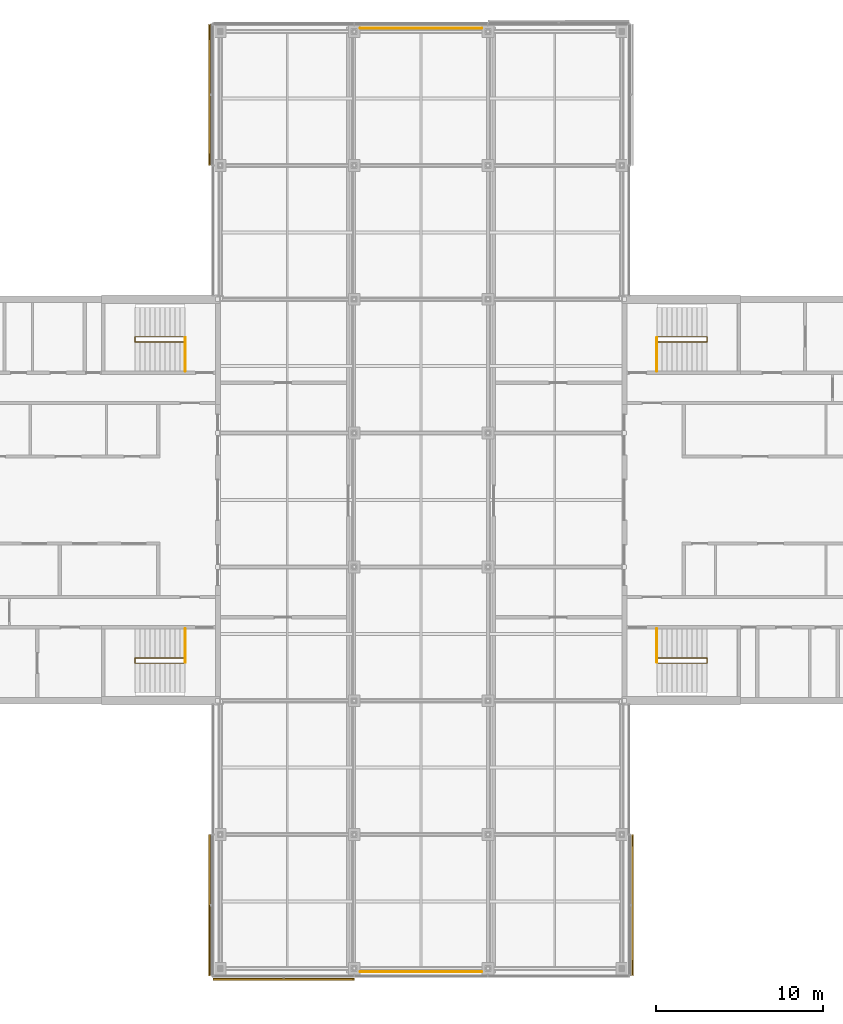
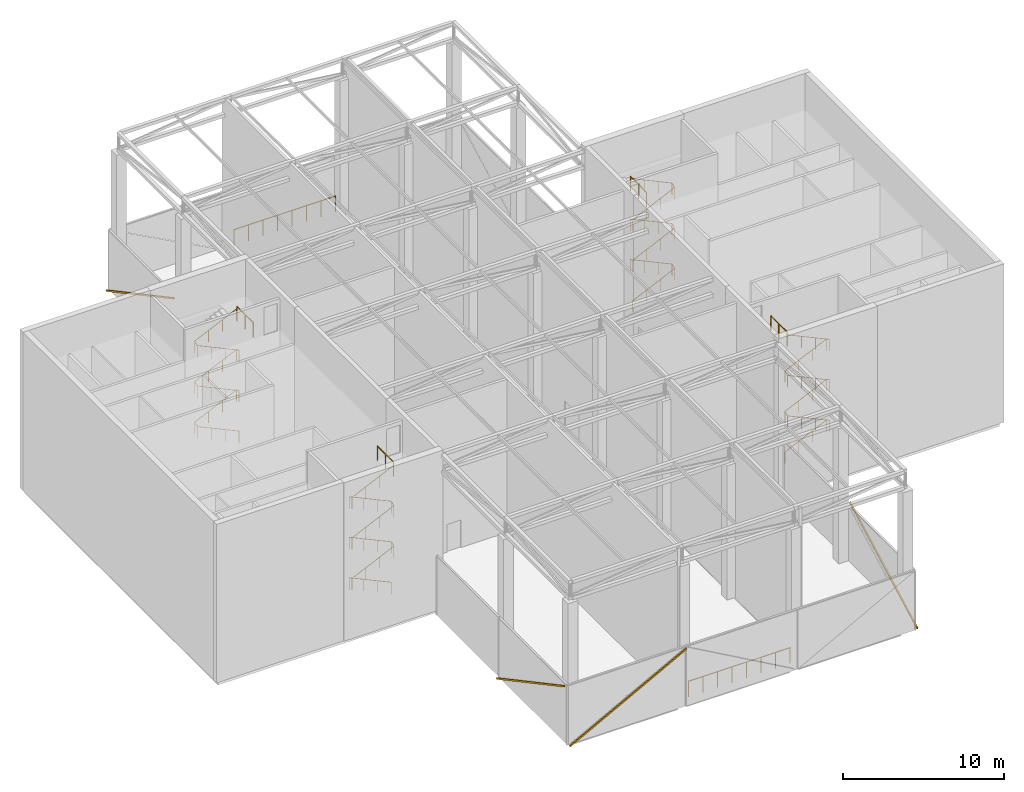
# One storey, part 22 of 23: 10 railings, 4 shading devices, 4 elements without a shape of their own.
"""IFC4 building model written with IfcOpenShell, lengths in metres."""

from ifc_helpers import new_model, si_unit, direction, frame, origin, origin_2d, place, context, subcontext, project, spatial, rectangle, circle, extrude, material, material_profile, profile_set, type_object, element, aggregate, save


model = new_model("IFC4")

# Units and contexts
model_context = context("Model", 3, precision=1e-05, world=origin(), true_north=direction((0.0, 1.0)))
body_context = subcontext(model_context, "Body", "Model", "MODEL_VIEW")
ifc_project = project(units=[si_unit("LENGTHUNIT", "METRE"), si_unit("AREAUNIT", "SQUARE_METRE"), si_unit("VOLUMEUNIT", "CUBIC_METRE"), si_unit("PLANEANGLEUNIT", "RADIAN"), si_unit("MASSUNIT", "GRAM", prefix="KILO")], contexts=[model_context])

# Site, building, storey
site_placement = place(None, origin())
site = spatial("IfcSite", under=ifc_project, at=site_placement, CompositionType="ELEMENT")
building_placement = place(site_placement, origin())
building = spatial("IfcBuilding", under=site, at=building_placement, Name="Crosswind Convention Tower", CompositionType="ELEMENT")
storey_placement = place(building_placement, frame((0.0, 0.0, 349.10009765625)))
storey = spatial("IfcBuildingStorey", under=building, at=storey_placement, Name="L76", CompositionType="ELEMENT", Elevation=349.10009765625)

# Railings
ifc_material_1 = material(Name="Stainless steel guard", Category="steel")
railing_type_1 = type_object("IfcRailingType", Name="CROWN DECK GUARD 1200", PredefinedType="GUARDRAIL", material=ifc_material_1)
railing_1_placement = place(storey_placement, frame((121.365966796875, 128.199951171875, 0.0498046875)))
element("IfcRailing", 1, at=railing_1_placement, inside=storey, type_object=railing_type_1, Name="R13 crown deck guard 1", PredefinedType="GUARDRAIL", context=body_context, shape_type="SweptSolid", body=[
    extrude(circle(Radius=0.01904296875, at=origin_2d()), frame((0.0, 0.0, 1.180908203125), z_axis=(1.0, 0.0, 0.0), x_axis=(0.0, 1.0, 0.0)), (0.0, 0.0, 1.0), 7.26806640625),
    extrude(circle(Radius=0.01611328125, at=origin_2d()), origin(), (0.0, 0.0, 1.0), 1.161865234375),
    extrude(circle(Radius=0.01611328125, at=origin_2d()), frame((1.038330078125, 0.0, 0.0)), (0.0, 0.0, 1.0), 1.161865234375),
    extrude(circle(Radius=0.01611328125, at=origin_2d()), frame((2.07666015625, 0.0, 0.0)), (0.0, 0.0, 1.0), 1.161865234375),
    extrude(circle(Radius=0.01611328125, at=origin_2d()), frame((3.114990234375, 0.0, 0.0)), (0.0, 0.0, 1.0), 1.161865234375),
    extrude(circle(Radius=0.01611328125, at=origin_2d()), frame((4.153076171875, 0.0, 0.0)), (0.0, 0.0, 1.0), 1.161865234375),
    extrude(circle(Radius=0.01611328125, at=origin_2d()), frame((5.19140625, 0.0, 0.0)), (0.0, 0.0, 1.0), 1.161865234375),
    extrude(circle(Radius=0.01611328125, at=origin_2d()), frame((6.229736328125, 0.0, 0.0)), (0.0, 0.0, 1.0), 1.161865234375),
    extrude(circle(Radius=0.01611328125, at=origin_2d()), frame((7.26806640625, 0.0, 0.0)), (0.0, 0.0, 1.0), 1.161865234375),
])
railing_2_placement = place(storey_placement, frame((128.634033203125, 71.800048828125, 0.0498046875)))
element("IfcRailing", 2, at=railing_2_placement, inside=storey, type_object=railing_type_1, Name="R13 crown deck guard 2", PredefinedType="GUARDRAIL", context=body_context, shape_type="SweptSolid", body=[
    extrude(circle(Radius=0.01904296875, at=origin_2d()), frame((0.0, 0.0, 1.180908203125), z_axis=(-1.0, 0.0, 0.0), x_axis=(0.0, -1.0, 0.0)), (0.0, 0.0, 1.0), 7.26806640625),
    extrude(circle(Radius=0.01611328125, at=origin_2d()), origin(), (0.0, 0.0, 1.0), 1.161865234375),
    extrude(circle(Radius=0.01611328125, at=origin_2d()), frame((-1.038330078125, 0.0, 0.0)), (0.0, 0.0, 1.0), 1.161865234375),
    extrude(circle(Radius=0.01611328125, at=origin_2d()), frame((-2.07666015625, 0.0, 0.0)), (0.0, 0.0, 1.0), 1.161865234375),
    extrude(circle(Radius=0.01611328125, at=origin_2d()), frame((-3.114990234375, 0.0, 0.0)), (0.0, 0.0, 1.0), 1.161865234375),
    extrude(circle(Radius=0.01611328125, at=origin_2d()), frame((-4.153076171875, 0.0, 0.0)), (0.0, 0.0, 1.0), 1.161865234375),
    extrude(circle(Radius=0.01611328125, at=origin_2d()), frame((-5.19140625, 0.0, 0.0)), (0.0, 0.0, 1.0), 1.161865234375),
    extrude(circle(Radius=0.01611328125, at=origin_2d()), frame((-6.229736328125, 0.0, 0.0)), (0.0, 0.0, 1.0), 1.161865234375),
    extrude(circle(Radius=0.01611328125, at=origin_2d()), frame((-7.26806640625, 0.0, 0.0)), (0.0, 0.0, 1.0), 1.161865234375),
])
ifc_material_2 = material(Name="Stainless steel and laminated glass", Category="steel")
railing_type_2 = type_object("IfcRailingType", Name="Stair guard 1100", PredefinedType="GUARDRAIL", material=ifc_material_2)
railing_3_placement = place(storey_placement, frame((139.090087890625, 107.699951171875, 9.199951171875)))
element("IfcRailing", 3, at=railing_3_placement, inside=storey, type_object=railing_type_2, Name="Stair ST1 well guard L76", PredefinedType="GUARDRAIL", context=body_context, shape_type="SweptSolid", body=[
    extrude(circle(Radius=0.02392578125, at=origin_2d()), frame((0.0, 0.0, 1.076171875), z_axis=(0.0, 1.0, 0.0), x_axis=(-1.0, 0.0, 0.0)), (0.0, 0.0, 1.0), 2.0),
    extrude(circle(Radius=0.02099609375, at=origin_2d()), origin(), (0.0, 0.0, 1.0), 1.052001953125),
    extrude(circle(Radius=0.02099609375, at=origin_2d()), frame((0.0, 1.0, 0.0)), (0.0, 0.0, 1.0), 1.052001953125),
    extrude(circle(Radius=0.02099609375, at=origin_2d()), frame((0.0, 2.0, 0.0)), (0.0, 0.0, 1.0), 1.052001953125),
])
for number, where, name in (
    (4, (139.090087890625, 92.300048828125, 9.199951171875), "Stair ST2 well guard L76"),
    (5, (110.909912109375, 92.300048828125, 9.199951171875), "Stair ST3 well guard L76"),
):
    element("IfcRailing", number, at=place(storey_placement, frame(where)), inside=storey, type_object=railing_type_2, Name=name, PredefinedType="GUARDRAIL", context=body_context, shape_type="SweptSolid", body=[
        extrude(circle(Radius=0.02392578125, at=origin_2d()), frame((0.0, 0.0, 1.076171875), z_axis=(0.0, -1.0, 0.0), x_axis=(1.0, 0.0, 0.0)), (0.0, 0.0, 1.0), 2.0),
        extrude(circle(Radius=0.02099609375, at=origin_2d()), origin(), (0.0, 0.0, 1.0), 1.052001953125),
        extrude(circle(Radius=0.02099609375, at=origin_2d()), frame((0.0, -1.0, 0.0)), (0.0, 0.0, 1.0), 1.052001953125),
        extrude(circle(Radius=0.02099609375, at=origin_2d()), frame((0.0, -2.0, 0.0)), (0.0, 0.0, 1.0), 1.052001953125),
    ])
railing_4_placement = place(storey_placement, frame((110.909912109375, 107.699951171875, 9.199951171875)))
element("IfcRailing", 6, at=railing_4_placement, inside=storey, type_object=railing_type_2, Name="Stair ST4 well guard L76", PredefinedType="GUARDRAIL", context=body_context, shape_type="SweptSolid", body=[
    extrude(circle(Radius=0.02392578125, at=origin_2d()), frame((0.0, 0.0, 1.076171875), z_axis=(0.0, 1.0, 0.0), x_axis=(-1.0, 0.0, 0.0)), (0.0, 0.0, 1.0), 2.0),
    extrude(circle(Radius=0.02099609375, at=origin_2d()), origin(), (0.0, 0.0, 1.0), 1.052001953125),
    extrude(circle(Radius=0.02099609375, at=origin_2d()), frame((0.0, 1.0, 0.0)), (0.0, 0.0, 1.0), 1.052001953125),
    extrude(circle(Radius=0.02099609375, at=origin_2d()), frame((0.0, 2.0, 0.0)), (0.0, 0.0, 1.0), 1.052001953125),
])
ifc_material_3 = material(Name="Stainless steel", Category="steel")
railing_type_3 = type_object("IfcRailingType", Name="Stair handrail 900", PredefinedType="HANDRAIL", material=ifc_material_3)
railing_5_placement = place(storey_placement, frame((139.10009765625, 109.43994140625, 0.139404296875)))
element("IfcRailing", 7, at=railing_5_placement, inside=storey, type_object=railing_type_3, Name="Stair ST1 handrail L76", PredefinedType="HANDRAIL", context=body_context, shape_type="SweptSolid", body=[
    extrude(circle(Radius=0.02392578125, at=origin_2d()), frame((0.0, 0.0, 0.8759765625), z_axis=(0.906900206734, 0.0, 0.421345481791), x_axis=(0.0, 1.0, 0.0)), (0.0, 0.0, 1.0), 3.307861328125),
    extrude(circle(Radius=0.02392578125, at=origin_2d()), frame((3.0, 0.0, 2.26953125), z_axis=(0.0, 0.91681415289, 0.399314173379), x_axis=(-1.0, 0.0, 0.0)), (0.0, 0.0, 1.0), 0.34912109375),
    extrude(circle(Radius=0.02392578125, at=origin_2d()), frame((3.0, 0.320068359375, 2.4091796875), z_axis=(-0.906872003825, 0.0, 0.421406180163), x_axis=(0.0, -1.0, 0.0)), (0.0, 0.0, 1.0), 3.30810546875),
    extrude(circle(Radius=0.02392578125, at=origin_2d()), frame((0.0, 0.320068359375, 3.80322265625), z_axis=(0.0, -0.91681415289, 0.399314173379), x_axis=(1.0, 0.0, 0.0)), (0.0, 0.0, 1.0), 0.34912109375),
    extrude(circle(Radius=0.02392578125, at=origin_2d()), frame((0.0, 0.0, 3.9423828125), z_axis=(0.906900206734, 0.0, 0.421345481791), x_axis=(0.0, 1.0, 0.0)), (0.0, 0.0, 1.0), 3.307861328125),
    extrude(circle(Radius=0.02392578125, at=origin_2d()), frame((3.0, 0.0, 5.33642578125), z_axis=(0.0, 0.91681415289, 0.399314173379), x_axis=(-1.0, 0.0, 0.0)), (0.0, 0.0, 1.0), 0.34912109375),
    extrude(circle(Radius=0.02392578125, at=origin_2d()), frame((3.0, 0.320068359375, 5.4755859375), z_axis=(-0.906872003825, 0.0, 0.421406180163), x_axis=(0.0, -1.0, 0.0)), (0.0, 0.0, 1.0), 3.30810546875),
    extrude(circle(Radius=0.02392578125, at=origin_2d()), frame((0.0, 0.320068359375, 6.86962890625), z_axis=(0.0, -0.91681415289, 0.399314173379), x_axis=(1.0, 0.0, 0.0)), (0.0, 0.0, 1.0), 0.34912109375),
    extrude(circle(Radius=0.02392578125, at=origin_2d()), frame((0.0, 0.0, 7.00927734375), z_axis=(0.906900206734, 0.0, 0.421345481791), x_axis=(0.0, 1.0, 0.0)), (0.0, 0.0, 1.0), 3.307861328125),
    extrude(circle(Radius=0.02392578125, at=origin_2d()), frame((3.0, 0.0, 8.40283203125), z_axis=(0.0, 0.91681415289, 0.399314173379), x_axis=(-1.0, 0.0, 0.0)), (0.0, 0.0, 1.0), 0.34912109375),
    extrude(circle(Radius=0.02392578125, at=origin_2d()), frame((3.0, 0.320068359375, 8.54248046875), z_axis=(-0.906872003825, 0.0, 0.421406180163), x_axis=(0.0, -1.0, 0.0)), (0.0, 0.0, 1.0), 3.30810546875),
    extrude(circle(Radius=0.02099609375, at=origin_2d()), origin(), (0.0, 0.0, 1.0), 0.851806640625),
    extrude(circle(Radius=0.02099609375, at=origin_2d()), frame((1.0, 0.0, 0.464599609375)), (0.0, 0.0, 1.0), 0.851806640625),
    extrude(circle(Radius=0.02099609375, at=origin_2d()), frame((2.0, 0.0, 0.92919921875)), (0.0, 0.0, 1.0), 0.851806640625),
    extrude(circle(Radius=0.02099609375, at=origin_2d()), frame((3.0, 0.0, 1.393798828125)), (0.0, 0.0, 1.0), 0.851806640625),
    extrude(circle(Radius=0.02099609375, at=origin_2d()), frame((3.0, 0.320068359375, 1.533203125)), (0.0, 0.0, 1.0), 0.851806640625),
    extrude(circle(Radius=0.02099609375, at=origin_2d()), frame((2.0, 0.320068359375, 1.997802734375)), (0.0, 0.0, 1.0), 0.851806640625),
    extrude(circle(Radius=0.02099609375, at=origin_2d()), frame((1.0, 0.320068359375, 2.462646484375)), (0.0, 0.0, 1.0), 0.851806640625),
    extrude(circle(Radius=0.02099609375, at=origin_2d()), frame((0.0, 0.320068359375, 2.92724609375)), (0.0, 0.0, 1.0), 0.851806640625),
    extrude(circle(Radius=0.02099609375, at=origin_2d()), frame((0.0, 0.0, 3.066650390625)), (0.0, 0.0, 1.0), 0.851806640625),
    extrude(circle(Radius=0.02099609375, at=origin_2d()), frame((1.0, 0.0, 3.53125)), (0.0, 0.0, 1.0), 0.851806640625),
    extrude(circle(Radius=0.02099609375, at=origin_2d()), frame((2.0, 0.0, 3.995849609375)), (0.0, 0.0, 1.0), 0.851806640625),
    extrude(circle(Radius=0.02099609375, at=origin_2d()), frame((3.0, 0.0, 4.46044921875)), (0.0, 0.0, 1.0), 0.851806640625),
    extrude(circle(Radius=0.02099609375, at=origin_2d()), frame((3.0, 0.320068359375, 4.599853515625)), (0.0, 0.0, 1.0), 0.851806640625),
    extrude(circle(Radius=0.02099609375, at=origin_2d()), frame((2.0, 0.320068359375, 5.064453125)), (0.0, 0.0, 1.0), 0.851806640625),
    extrude(circle(Radius=0.02099609375, at=origin_2d()), frame((1.0, 0.320068359375, 5.529296875)), (0.0, 0.0, 1.0), 0.851806640625),
    extrude(circle(Radius=0.02099609375, at=origin_2d()), frame((0.0, 0.320068359375, 5.993896484375)), (0.0, 0.0, 1.0), 0.851806640625),
    extrude(circle(Radius=0.02099609375, at=origin_2d()), frame((0.0, 0.0, 6.13330078125)), (0.0, 0.0, 1.0), 0.851806640625),
    extrude(circle(Radius=0.02099609375, at=origin_2d()), frame((1.0, 0.0, 6.597900390625)), (0.0, 0.0, 1.0), 0.851806640625),
    extrude(circle(Radius=0.02099609375, at=origin_2d()), frame((2.0, 0.0, 7.0625)), (0.0, 0.0, 1.0), 0.851806640625),
    extrude(circle(Radius=0.02099609375, at=origin_2d()), frame((3.0, 0.0, 7.527099609375)), (0.0, 0.0, 1.0), 0.851806640625),
    extrude(circle(Radius=0.02099609375, at=origin_2d()), frame((3.0, 0.320068359375, 7.66650390625)), (0.0, 0.0, 1.0), 0.851806640625),
    extrude(circle(Radius=0.02099609375, at=origin_2d()), frame((2.0, 0.320068359375, 8.131103515625)), (0.0, 0.0, 1.0), 0.851806640625),
    extrude(circle(Radius=0.02099609375, at=origin_2d()), frame((1.0, 0.320068359375, 8.595947265625)), (0.0, 0.0, 1.0), 0.851806640625),
    extrude(circle(Radius=0.02099609375, at=origin_2d()), frame((0.0, 0.320068359375, 9.060546875)), (0.0, 0.0, 1.0), 0.851806640625),
])
railing_6_placement = place(storey_placement, frame((139.10009765625, 90.56005859375, 0.139404296875)))
element("IfcRailing", 8, at=railing_6_placement, inside=storey, type_object=railing_type_3, Name="Stair ST2 handrail L76", PredefinedType="HANDRAIL", context=body_context, shape_type="SweptSolid", body=[
    extrude(circle(Radius=0.02392578125, at=origin_2d()), frame((0.0, 0.0, 0.8759765625), z_axis=(0.906900206734, 0.0, 0.421345481791), x_axis=(0.0, 1.0, 0.0)), (0.0, 0.0, 1.0), 3.307861328125),
    extrude(circle(Radius=0.02392578125, at=origin_2d()), frame((3.0, 0.0, 2.26953125), z_axis=(0.0, -0.91681415289, 0.399314173379), x_axis=(1.0, 0.0, 0.0)), (0.0, 0.0, 1.0), 0.34912109375),
    extrude(circle(Radius=0.02392578125, at=origin_2d()), frame((3.0, -0.320068359375, 2.4091796875), z_axis=(-0.906872003825, 0.0, 0.421406180163), x_axis=(0.0, -1.0, 0.0)), (0.0, 0.0, 1.0), 3.30810546875),
    extrude(circle(Radius=0.02392578125, at=origin_2d()), frame((0.0, -0.320068359375, 3.80322265625), z_axis=(0.0, 0.91681415289, 0.399314173379), x_axis=(-1.0, 0.0, 0.0)), (0.0, 0.0, 1.0), 0.34912109375),
    extrude(circle(Radius=0.02392578125, at=origin_2d()), frame((0.0, 0.0, 3.9423828125), z_axis=(0.906900206734, 0.0, 0.421345481791), x_axis=(0.0, 1.0, 0.0)), (0.0, 0.0, 1.0), 3.307861328125),
    extrude(circle(Radius=0.02392578125, at=origin_2d()), frame((3.0, 0.0, 5.33642578125), z_axis=(0.0, -0.91681415289, 0.399314173379), x_axis=(1.0, 0.0, 0.0)), (0.0, 0.0, 1.0), 0.34912109375),
    extrude(circle(Radius=0.02392578125, at=origin_2d()), frame((3.0, -0.320068359375, 5.4755859375), z_axis=(-0.906872003825, 0.0, 0.421406180163), x_axis=(0.0, -1.0, 0.0)), (0.0, 0.0, 1.0), 3.30810546875),
    extrude(circle(Radius=0.02392578125, at=origin_2d()), frame((0.0, -0.320068359375, 6.86962890625), z_axis=(0.0, 0.91681415289, 0.399314173379), x_axis=(-1.0, 0.0, 0.0)), (0.0, 0.0, 1.0), 0.34912109375),
    extrude(circle(Radius=0.02392578125, at=origin_2d()), frame((0.0, 0.0, 7.00927734375), z_axis=(0.906900206734, 0.0, 0.421345481791), x_axis=(0.0, 1.0, 0.0)), (0.0, 0.0, 1.0), 3.307861328125),
    extrude(circle(Radius=0.02392578125, at=origin_2d()), frame((3.0, 0.0, 8.40283203125), z_axis=(0.0, -0.91681415289, 0.399314173379), x_axis=(1.0, 0.0, 0.0)), (0.0, 0.0, 1.0), 0.34912109375),
    extrude(circle(Radius=0.02392578125, at=origin_2d()), frame((3.0, -0.320068359375, 8.54248046875), z_axis=(-0.906872003825, 0.0, 0.421406180163), x_axis=(0.0, -1.0, 0.0)), (0.0, 0.0, 1.0), 3.30810546875),
    extrude(circle(Radius=0.02099609375, at=origin_2d()), origin(), (0.0, 0.0, 1.0), 0.851806640625),
    extrude(circle(Radius=0.02099609375, at=origin_2d()), frame((1.0, 0.0, 0.464599609375)), (0.0, 0.0, 1.0), 0.851806640625),
    extrude(circle(Radius=0.02099609375, at=origin_2d()), frame((2.0, 0.0, 0.92919921875)), (0.0, 0.0, 1.0), 0.851806640625),
    extrude(circle(Radius=0.02099609375, at=origin_2d()), frame((3.0, 0.0, 1.393798828125)), (0.0, 0.0, 1.0), 0.851806640625),
    extrude(circle(Radius=0.02099609375, at=origin_2d()), frame((3.0, -0.320068359375, 1.533203125)), (0.0, 0.0, 1.0), 0.851806640625),
    extrude(circle(Radius=0.02099609375, at=origin_2d()), frame((2.0, -0.320068359375, 1.997802734375)), (0.0, 0.0, 1.0), 0.851806640625),
    extrude(circle(Radius=0.02099609375, at=origin_2d()), frame((1.0, -0.320068359375, 2.462646484375)), (0.0, 0.0, 1.0), 0.851806640625),
    extrude(circle(Radius=0.02099609375, at=origin_2d()), frame((0.0, -0.320068359375, 2.92724609375)), (0.0, 0.0, 1.0), 0.851806640625),
    extrude(circle(Radius=0.02099609375, at=origin_2d()), frame((0.0, 0.0, 3.066650390625)), (0.0, 0.0, 1.0), 0.851806640625),
    extrude(circle(Radius=0.02099609375, at=origin_2d()), frame((1.0, 0.0, 3.53125)), (0.0, 0.0, 1.0), 0.851806640625),
    extrude(circle(Radius=0.02099609375, at=origin_2d()), frame((2.0, 0.0, 3.995849609375)), (0.0, 0.0, 1.0), 0.851806640625),
    extrude(circle(Radius=0.02099609375, at=origin_2d()), frame((3.0, 0.0, 4.46044921875)), (0.0, 0.0, 1.0), 0.851806640625),
    extrude(circle(Radius=0.02099609375, at=origin_2d()), frame((3.0, -0.320068359375, 4.599853515625)), (0.0, 0.0, 1.0), 0.851806640625),
    extrude(circle(Radius=0.02099609375, at=origin_2d()), frame((2.0, -0.320068359375, 5.064453125)), (0.0, 0.0, 1.0), 0.851806640625),
    extrude(circle(Radius=0.02099609375, at=origin_2d()), frame((1.0, -0.320068359375, 5.529296875)), (0.0, 0.0, 1.0), 0.851806640625),
    extrude(circle(Radius=0.02099609375, at=origin_2d()), frame((0.0, -0.320068359375, 5.993896484375)), (0.0, 0.0, 1.0), 0.851806640625),
    extrude(circle(Radius=0.02099609375, at=origin_2d()), frame((0.0, 0.0, 6.13330078125)), (0.0, 0.0, 1.0), 0.851806640625),
    extrude(circle(Radius=0.02099609375, at=origin_2d()), frame((1.0, 0.0, 6.597900390625)), (0.0, 0.0, 1.0), 0.851806640625),
    extrude(circle(Radius=0.02099609375, at=origin_2d()), frame((2.0, 0.0, 7.0625)), (0.0, 0.0, 1.0), 0.851806640625),
    extrude(circle(Radius=0.02099609375, at=origin_2d()), frame((3.0, 0.0, 7.527099609375)), (0.0, 0.0, 1.0), 0.851806640625),
    extrude(circle(Radius=0.02099609375, at=origin_2d()), frame((3.0, -0.320068359375, 7.66650390625)), (0.0, 0.0, 1.0), 0.851806640625),
    extrude(circle(Radius=0.02099609375, at=origin_2d()), frame((2.0, -0.320068359375, 8.131103515625)), (0.0, 0.0, 1.0), 0.851806640625),
    extrude(circle(Radius=0.02099609375, at=origin_2d()), frame((1.0, -0.320068359375, 8.595947265625)), (0.0, 0.0, 1.0), 0.851806640625),
    extrude(circle(Radius=0.02099609375, at=origin_2d()), frame((0.0, -0.320068359375, 9.060546875)), (0.0, 0.0, 1.0), 0.851806640625),
])
railing_7_placement = place(storey_placement, frame((110.89990234375, 90.56005859375, 0.139404296875)))
element("IfcRailing", 9, at=railing_7_placement, inside=storey, type_object=railing_type_3, Name="Stair ST3 handrail L76", PredefinedType="HANDRAIL", context=body_context, shape_type="SweptSolid", body=[
    extrude(circle(Radius=0.02392578125, at=origin_2d()), frame((0.0, 0.0, 0.8759765625), z_axis=(-0.906900206734, 0.0, 0.421345481791), x_axis=(0.0, -1.0, 0.0)), (0.0, 0.0, 1.0), 3.307861328125),
    extrude(circle(Radius=0.02392578125, at=origin_2d()), frame((-3.0, 0.0, 2.26953125), z_axis=(0.0, -0.91681415289, 0.399314173379), x_axis=(1.0, 0.0, 0.0)), (0.0, 0.0, 1.0), 0.34912109375),
    extrude(circle(Radius=0.02392578125, at=origin_2d()), frame((-3.0, -0.320068359375, 2.4091796875), z_axis=(0.906872003825, 0.0, 0.421406180163), x_axis=(0.0, 1.0, 0.0)), (0.0, 0.0, 1.0), 3.30810546875),
    extrude(circle(Radius=0.02392578125, at=origin_2d()), frame((0.0, -0.320068359375, 3.80322265625), z_axis=(0.0, 0.91681415289, 0.399314173379), x_axis=(-1.0, 0.0, 0.0)), (0.0, 0.0, 1.0), 0.34912109375),
    extrude(circle(Radius=0.02392578125, at=origin_2d()), frame((0.0, 0.0, 3.9423828125), z_axis=(-0.906900206734, 0.0, 0.421345481791), x_axis=(0.0, -1.0, 0.0)), (0.0, 0.0, 1.0), 3.307861328125),
    extrude(circle(Radius=0.02392578125, at=origin_2d()), frame((-3.0, 0.0, 5.33642578125), z_axis=(0.0, -0.91681415289, 0.399314173379), x_axis=(1.0, 0.0, 0.0)), (0.0, 0.0, 1.0), 0.34912109375),
    extrude(circle(Radius=0.02392578125, at=origin_2d()), frame((-3.0, -0.320068359375, 5.4755859375), z_axis=(0.906872003825, 0.0, 0.421406180163), x_axis=(0.0, 1.0, 0.0)), (0.0, 0.0, 1.0), 3.30810546875),
    extrude(circle(Radius=0.02392578125, at=origin_2d()), frame((0.0, -0.320068359375, 6.86962890625), z_axis=(0.0, 0.91681415289, 0.399314173379), x_axis=(-1.0, 0.0, 0.0)), (0.0, 0.0, 1.0), 0.34912109375),
    extrude(circle(Radius=0.02392578125, at=origin_2d()), frame((0.0, 0.0, 7.00927734375), z_axis=(-0.906900206734, 0.0, 0.421345481791), x_axis=(0.0, -1.0, 0.0)), (0.0, 0.0, 1.0), 3.307861328125),
    extrude(circle(Radius=0.02392578125, at=origin_2d()), frame((-3.0, 0.0, 8.40283203125), z_axis=(0.0, -0.91681415289, 0.399314173379), x_axis=(1.0, 0.0, 0.0)), (0.0, 0.0, 1.0), 0.34912109375),
    extrude(circle(Radius=0.02392578125, at=origin_2d()), frame((-3.0, -0.320068359375, 8.54248046875), z_axis=(0.906872003825, 0.0, 0.421406180163), x_axis=(0.0, 1.0, 0.0)), (0.0, 0.0, 1.0), 3.30810546875),
    extrude(circle(Radius=0.02099609375, at=origin_2d()), origin(), (0.0, 0.0, 1.0), 0.851806640625),
    extrude(circle(Radius=0.02099609375, at=origin_2d()), frame((-1.0, 0.0, 0.464599609375)), (0.0, 0.0, 1.0), 0.851806640625),
    extrude(circle(Radius=0.02099609375, at=origin_2d()), frame((-2.0, 0.0, 0.92919921875)), (0.0, 0.0, 1.0), 0.851806640625),
    extrude(circle(Radius=0.02099609375, at=origin_2d()), frame((-3.0, 0.0, 1.393798828125)), (0.0, 0.0, 1.0), 0.851806640625),
    extrude(circle(Radius=0.02099609375, at=origin_2d()), frame((-3.0, -0.320068359375, 1.533203125)), (0.0, 0.0, 1.0), 0.851806640625),
    extrude(circle(Radius=0.02099609375, at=origin_2d()), frame((-2.0, -0.320068359375, 1.997802734375)), (0.0, 0.0, 1.0), 0.851806640625),
    extrude(circle(Radius=0.02099609375, at=origin_2d()), frame((-1.0, -0.320068359375, 2.462646484375)), (0.0, 0.0, 1.0), 0.851806640625),
    extrude(circle(Radius=0.02099609375, at=origin_2d()), frame((0.0, -0.320068359375, 2.92724609375)), (0.0, 0.0, 1.0), 0.851806640625),
    extrude(circle(Radius=0.02099609375, at=origin_2d()), frame((0.0, 0.0, 3.066650390625)), (0.0, 0.0, 1.0), 0.851806640625),
    extrude(circle(Radius=0.02099609375, at=origin_2d()), frame((-1.0, 0.0, 3.53125)), (0.0, 0.0, 1.0), 0.851806640625),
    extrude(circle(Radius=0.02099609375, at=origin_2d()), frame((-2.0, 0.0, 3.995849609375)), (0.0, 0.0, 1.0), 0.851806640625),
    extrude(circle(Radius=0.02099609375, at=origin_2d()), frame((-3.0, 0.0, 4.46044921875)), (0.0, 0.0, 1.0), 0.851806640625),
    extrude(circle(Radius=0.02099609375, at=origin_2d()), frame((-3.0, -0.320068359375, 4.599853515625)), (0.0, 0.0, 1.0), 0.851806640625),
    extrude(circle(Radius=0.02099609375, at=origin_2d()), frame((-2.0, -0.320068359375, 5.064453125)), (0.0, 0.0, 1.0), 0.851806640625),
    extrude(circle(Radius=0.02099609375, at=origin_2d()), frame((-1.0, -0.320068359375, 5.529296875)), (0.0, 0.0, 1.0), 0.851806640625),
    extrude(circle(Radius=0.02099609375, at=origin_2d()), frame((0.0, -0.320068359375, 5.993896484375)), (0.0, 0.0, 1.0), 0.851806640625),
    extrude(circle(Radius=0.02099609375, at=origin_2d()), frame((0.0, 0.0, 6.13330078125)), (0.0, 0.0, 1.0), 0.851806640625),
    extrude(circle(Radius=0.02099609375, at=origin_2d()), frame((-1.0, 0.0, 6.597900390625)), (0.0, 0.0, 1.0), 0.851806640625),
    extrude(circle(Radius=0.02099609375, at=origin_2d()), frame((-2.0, 0.0, 7.0625)), (0.0, 0.0, 1.0), 0.851806640625),
    extrude(circle(Radius=0.02099609375, at=origin_2d()), frame((-3.0, 0.0, 7.527099609375)), (0.0, 0.0, 1.0), 0.851806640625),
    extrude(circle(Radius=0.02099609375, at=origin_2d()), frame((-3.0, -0.320068359375, 7.66650390625)), (0.0, 0.0, 1.0), 0.851806640625),
    extrude(circle(Radius=0.02099609375, at=origin_2d()), frame((-2.0, -0.320068359375, 8.131103515625)), (0.0, 0.0, 1.0), 0.851806640625),
    extrude(circle(Radius=0.02099609375, at=origin_2d()), frame((-1.0, -0.320068359375, 8.595947265625)), (0.0, 0.0, 1.0), 0.851806640625),
    extrude(circle(Radius=0.02099609375, at=origin_2d()), frame((0.0, -0.320068359375, 9.060546875)), (0.0, 0.0, 1.0), 0.851806640625),
])
railing_8_placement = place(storey_placement, frame((110.89990234375, 109.43994140625, 0.139404296875)))
element("IfcRailing", 10, at=railing_8_placement, inside=storey, type_object=railing_type_3, Name="Stair ST4 handrail L76", PredefinedType="HANDRAIL", context=body_context, shape_type="SweptSolid", body=[
    extrude(circle(Radius=0.02392578125, at=origin_2d()), frame((0.0, 0.0, 0.8759765625), z_axis=(-0.906900206734, 0.0, 0.421345481791), x_axis=(0.0, -1.0, 0.0)), (0.0, 0.0, 1.0), 3.307861328125),
    extrude(circle(Radius=0.02392578125, at=origin_2d()), frame((-3.0, 0.0, 2.26953125), z_axis=(0.0, 0.91681415289, 0.399314173379), x_axis=(-1.0, 0.0, 0.0)), (0.0, 0.0, 1.0), 0.34912109375),
    extrude(circle(Radius=0.02392578125, at=origin_2d()), frame((-3.0, 0.320068359375, 2.4091796875), z_axis=(0.906872003825, 0.0, 0.421406180163), x_axis=(0.0, 1.0, 0.0)), (0.0, 0.0, 1.0), 3.30810546875),
    extrude(circle(Radius=0.02392578125, at=origin_2d()), frame((0.0, 0.320068359375, 3.80322265625), z_axis=(0.0, -0.91681415289, 0.399314173379), x_axis=(1.0, 0.0, 0.0)), (0.0, 0.0, 1.0), 0.34912109375),
    extrude(circle(Radius=0.02392578125, at=origin_2d()), frame((0.0, 0.0, 3.9423828125), z_axis=(-0.906900206734, 0.0, 0.421345481791), x_axis=(0.0, -1.0, 0.0)), (0.0, 0.0, 1.0), 3.307861328125),
    extrude(circle(Radius=0.02392578125, at=origin_2d()), frame((-3.0, 0.0, 5.33642578125), z_axis=(0.0, 0.91681415289, 0.399314173379), x_axis=(-1.0, 0.0, 0.0)), (0.0, 0.0, 1.0), 0.34912109375),
    extrude(circle(Radius=0.02392578125, at=origin_2d()), frame((-3.0, 0.320068359375, 5.4755859375), z_axis=(0.906872003825, 0.0, 0.421406180163), x_axis=(0.0, 1.0, 0.0)), (0.0, 0.0, 1.0), 3.30810546875),
    extrude(circle(Radius=0.02392578125, at=origin_2d()), frame((0.0, 0.320068359375, 6.86962890625), z_axis=(0.0, -0.91681415289, 0.399314173379), x_axis=(1.0, 0.0, 0.0)), (0.0, 0.0, 1.0), 0.34912109375),
    extrude(circle(Radius=0.02392578125, at=origin_2d()), frame((0.0, 0.0, 7.00927734375), z_axis=(-0.906900206734, 0.0, 0.421345481791), x_axis=(0.0, -1.0, 0.0)), (0.0, 0.0, 1.0), 3.307861328125),
    extrude(circle(Radius=0.02392578125, at=origin_2d()), frame((-3.0, 0.0, 8.40283203125), z_axis=(0.0, 0.91681415289, 0.399314173379), x_axis=(-1.0, 0.0, 0.0)), (0.0, 0.0, 1.0), 0.34912109375),
    extrude(circle(Radius=0.02392578125, at=origin_2d()), frame((-3.0, 0.320068359375, 8.54248046875), z_axis=(0.906872003825, 0.0, 0.421406180163), x_axis=(0.0, 1.0, 0.0)), (0.0, 0.0, 1.0), 3.30810546875),
    extrude(circle(Radius=0.02099609375, at=origin_2d()), origin(), (0.0, 0.0, 1.0), 0.851806640625),
    extrude(circle(Radius=0.02099609375, at=origin_2d()), frame((-1.0, 0.0, 0.464599609375)), (0.0, 0.0, 1.0), 0.851806640625),
    extrude(circle(Radius=0.02099609375, at=origin_2d()), frame((-2.0, 0.0, 0.92919921875)), (0.0, 0.0, 1.0), 0.851806640625),
    extrude(circle(Radius=0.02099609375, at=origin_2d()), frame((-3.0, 0.0, 1.393798828125)), (0.0, 0.0, 1.0), 0.851806640625),
    extrude(circle(Radius=0.02099609375, at=origin_2d()), frame((-3.0, 0.320068359375, 1.533203125)), (0.0, 0.0, 1.0), 0.851806640625),
    extrude(circle(Radius=0.02099609375, at=origin_2d()), frame((-2.0, 0.320068359375, 1.997802734375)), (0.0, 0.0, 1.0), 0.851806640625),
    extrude(circle(Radius=0.02099609375, at=origin_2d()), frame((-1.0, 0.320068359375, 2.462646484375)), (0.0, 0.0, 1.0), 0.851806640625),
    extrude(circle(Radius=0.02099609375, at=origin_2d()), frame((0.0, 0.320068359375, 2.92724609375)), (0.0, 0.0, 1.0), 0.851806640625),
    extrude(circle(Radius=0.02099609375, at=origin_2d()), frame((0.0, 0.0, 3.066650390625)), (0.0, 0.0, 1.0), 0.851806640625),
    extrude(circle(Radius=0.02099609375, at=origin_2d()), frame((-1.0, 0.0, 3.53125)), (0.0, 0.0, 1.0), 0.851806640625),
    extrude(circle(Radius=0.02099609375, at=origin_2d()), frame((-2.0, 0.0, 3.995849609375)), (0.0, 0.0, 1.0), 0.851806640625),
    extrude(circle(Radius=0.02099609375, at=origin_2d()), frame((-3.0, 0.0, 4.46044921875)), (0.0, 0.0, 1.0), 0.851806640625),
    extrude(circle(Radius=0.02099609375, at=origin_2d()), frame((-3.0, 0.320068359375, 4.599853515625)), (0.0, 0.0, 1.0), 0.851806640625),
    extrude(circle(Radius=0.02099609375, at=origin_2d()), frame((-2.0, 0.320068359375, 5.064453125)), (0.0, 0.0, 1.0), 0.851806640625),
    extrude(circle(Radius=0.02099609375, at=origin_2d()), frame((-1.0, 0.320068359375, 5.529296875)), (0.0, 0.0, 1.0), 0.851806640625),
    extrude(circle(Radius=0.02099609375, at=origin_2d()), frame((0.0, 0.320068359375, 5.993896484375)), (0.0, 0.0, 1.0), 0.851806640625),
    extrude(circle(Radius=0.02099609375, at=origin_2d()), frame((0.0, 0.0, 6.13330078125)), (0.0, 0.0, 1.0), 0.851806640625),
    extrude(circle(Radius=0.02099609375, at=origin_2d()), frame((-1.0, 0.0, 6.597900390625)), (0.0, 0.0, 1.0), 0.851806640625),
    extrude(circle(Radius=0.02099609375, at=origin_2d()), frame((-2.0, 0.0, 7.0625)), (0.0, 0.0, 1.0), 0.851806640625),
    extrude(circle(Radius=0.02099609375, at=origin_2d()), frame((-3.0, 0.0, 7.527099609375)), (0.0, 0.0, 1.0), 0.851806640625),
    extrude(circle(Radius=0.02099609375, at=origin_2d()), frame((-3.0, 0.320068359375, 7.66650390625)), (0.0, 0.0, 1.0), 0.851806640625),
    extrude(circle(Radius=0.02099609375, at=origin_2d()), frame((-2.0, 0.320068359375, 8.131103515625)), (0.0, 0.0, 1.0), 0.851806640625),
    extrude(circle(Radius=0.02099609375, at=origin_2d()), frame((-1.0, 0.320068359375, 8.595947265625)), (0.0, 0.0, 1.0), 0.851806640625),
    extrude(circle(Radius=0.02099609375, at=origin_2d()), frame((0.0, 0.320068359375, 9.060546875)), (0.0, 0.0, 1.0), 0.851806640625),
])

# Curtain wall, shading device
ifc_material_4 = material(Name="Aluminium unitised curtain wall", Category="aluminium")
curtain_wall_type = type_object("IfcCurtainWallType", Name="CROWN WINDBREAK WALL 180", PredefinedType="USERDEFINED", material=ifc_material_4)
curtain_wall_1_placement = place(storey_placement, origin())
curtain_wall_1 = element("IfcCurtainWall", 11, at=curtain_wall_1_placement, inside=storey, type_object=curtain_wall_type, Name="CW5 L76 N-W 1", ObjectType="UNITISED", PredefinedType="USERDEFINED")
ifc_material_5 = material(Name="Extruded terracotta", Category="masonry")
ifc_material_profile = material_profile(ifc_material_5, rectangle(XDim=0.090087890625, YDim=0.110107421875, at=origin_2d()), Name="TC 90X110")
ifc_profile_set = profile_set([ifc_material_profile], Name="Extruded terracotta")
shading_device_type = type_object("IfcShadingDeviceType", Name="TERRACOTTA BAGUETTE 110X90", PredefinedType="USERDEFINED", material=ifc_profile_set)
shading_device_1_placement = place(storey_placement, frame((112.35302734375, 128.409912109375, -0.35009765625), z_axis=(0.0, -0.881446372325, 0.472284122871), x_axis=(1.0, 0.0, 0.0)))
shading_device_1 = element("IfcShadingDevice", 12, at=shading_device_1_placement, type_object=shading_device_type, Name="CW5 terracotta baguette 1", ObjectType="BAGUETTE", PredefinedType="USERDEFINED", context=body_context, shape_type="SweptSolid", body=[
    extrude(rectangle(XDim=0.090087890625, YDim=0.110107421875, at=origin_2d()), origin(), (0.0, 0.0, 1.0), 9.507080078125),
])
aggregate(curtain_wall_1, [shading_device_1])

curtain_wall_2_placement = place(storey_placement, origin())
curtain_wall_2 = element("IfcCurtainWall", 13, at=curtain_wall_2_placement, inside=storey, type_object=curtain_wall_type, Name="CW5 L76 S-W 1", ObjectType="UNITISED", PredefinedType="USERDEFINED")
shading_device_2_placement = place(storey_placement, frame((112.35302734375, 79.969970703125, -0.35009765625), z_axis=(0.0, -0.881446372325, 0.472284122871), x_axis=(1.0, 0.0, 0.0)))
shading_device_2 = element("IfcShadingDevice", 14, at=shading_device_2_placement, type_object=shading_device_type, Name="CW5 terracotta baguette 1", ObjectType="BAGUETTE", PredefinedType="USERDEFINED", context=body_context, shape_type="SweptSolid", body=[
    extrude(rectangle(XDim=0.090087890625, YDim=0.110107421875, at=origin_2d()), origin(), (0.0, 0.0, 1.0), 9.507080078125),
])
aggregate(curtain_wall_2, [shading_device_2])

curtain_wall_3_placement = place(storey_placement, origin())
curtain_wall_3 = element("IfcCurtainWall", 15, at=curtain_wall_3_placement, inside=storey, type_object=curtain_wall_type, Name="CW5 L76 S-TIP 1", ObjectType="UNITISED", PredefinedType="USERDEFINED")
shading_device_3_placement = place(storey_placement, frame((112.590087890625, 71.35302734375, -0.35009765625), z_axis=(0.881446372325, 0.0, 0.472284122871), x_axis=(0.0, 1.0, 0.0)))
shading_device_3 = element("IfcShadingDevice", 16, at=shading_device_3_placement, type_object=shading_device_type, Name="CW5 terracotta baguette 1", ObjectType="BAGUETTE", PredefinedType="USERDEFINED", context=body_context, shape_type="SweptSolid", body=[
    extrude(rectangle(XDim=0.090087890625, YDim=0.110107421875, at=origin_2d()), origin(), (0.0, 0.0, 1.0), 9.507080078125),
])
aggregate(curtain_wall_3, [shading_device_3])

curtain_wall_4_placement = place(storey_placement, origin())
curtain_wall_4 = element("IfcCurtainWall", 17, at=curtain_wall_4_placement, inside=storey, type_object=curtain_wall_type, Name="CW5 L76 S-E 1", ObjectType="UNITISED", PredefinedType="USERDEFINED")
shading_device_4_placement = place(storey_placement, frame((137.64697265625, 71.590087890625, -0.35009765625), z_axis=(0.0, 0.881446372325, 0.472284122871), x_axis=(-1.0, 0.0, 0.0)))
shading_device_4 = element("IfcShadingDevice", 18, at=shading_device_4_placement, type_object=shading_device_type, Name="CW5 terracotta baguette 1", ObjectType="BAGUETTE", PredefinedType="USERDEFINED", context=body_context, shape_type="SweptSolid", body=[
    extrude(rectangle(XDim=0.090087890625, YDim=0.110107421875, at=origin_2d()), origin(), (0.0, 0.0, 1.0), 9.507080078125),
])
aggregate(curtain_wall_4, [shading_device_4])

save(model, "model.ifc")
